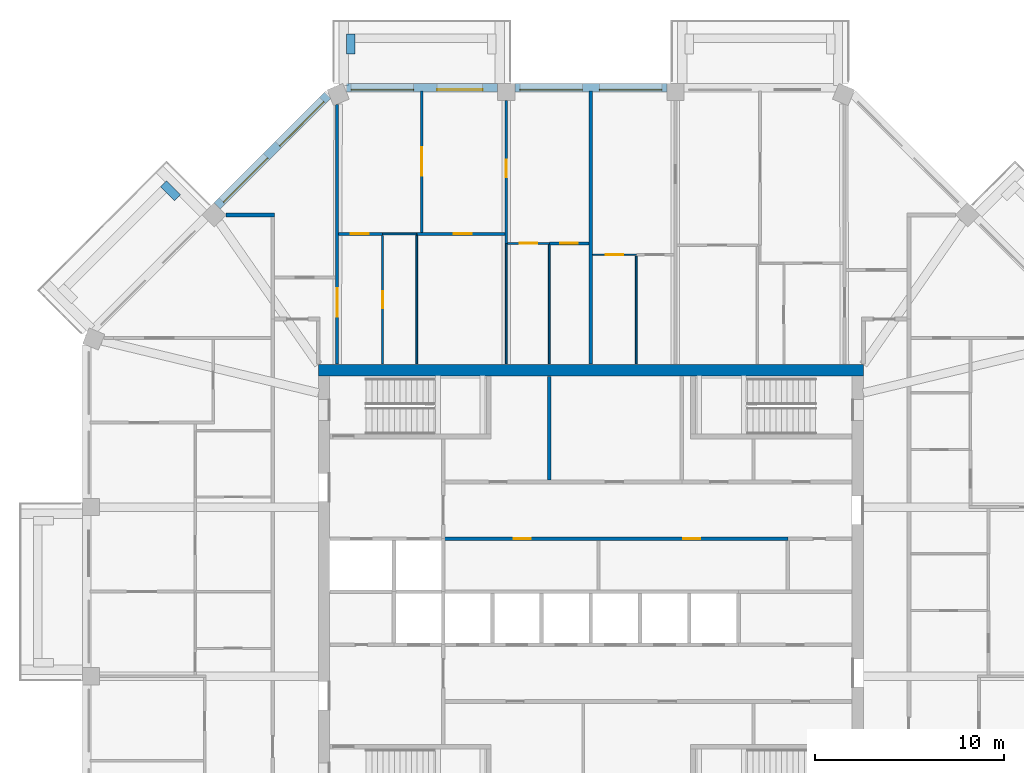
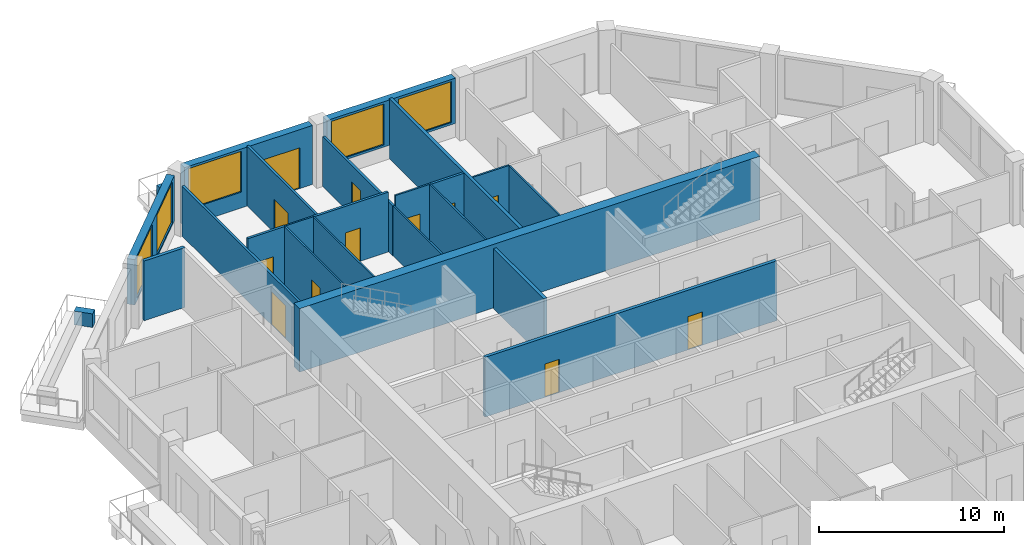
# One storey, part 8 of 13: 24 walls, 12 doors, 5 windows, 17 openings.
"""IFC4 building model written with IfcOpenShell, lengths in metres."""

from ifc_helpers import new_model, si_unit, direction, frame, frame_2d, origin, place, context, subcontext, project, spatial, rectangle, extrude, material, layer, layer_set, type_object, element, fill, save


model = new_model("IFC4")

# Units and contexts
model_context = context("Model", 3, precision=1e-05, world=origin(), true_north=direction((0.0, 1.0)))
body_context = subcontext(model_context, "Body", "Model", "MODEL_VIEW")
ifc_project = project(units=[si_unit("LENGTHUNIT", "METRE"), si_unit("AREAUNIT", "SQUARE_METRE"), si_unit("VOLUMEUNIT", "CUBIC_METRE"), si_unit("PLANEANGLEUNIT", "RADIAN"), si_unit("MASSUNIT", "GRAM", prefix="KILO")], contexts=[model_context])

# Site, building, storey
site_placement = place(None, origin())
site = spatial("IfcSite", under=ifc_project, at=site_placement, CompositionType="ELEMENT")
building_placement = place(site_placement, origin())
building = spatial("IfcBuilding", under=site, at=building_placement, Name="Msitu Wima Residences", CompositionType="ELEMENT")
storey_placement = place(building_placement, frame((0.0, 0.0, 289.5)))
storey = spatial("IfcBuildingStorey", under=building, at=storey_placement, Name="L67", CompositionType="ELEMENT", Elevation=289.5)

# Walls
ifc_material_1 = material(Name="Facing brick")
ifc_layer_1 = layer(ifc_material_1, 0.06494140625, Name="Facing brick")
ifc_material_2 = material(Name="Concrete C40/50", Category="concrete")
ifc_layer_2 = layer(ifc_material_2, 0.156005859375, Name="Concrete C40/50")
ifc_material_3 = material(Name="Waterproofing membrane")
ifc_layer_3 = layer(ifc_material_3, 0.00390625, Name="Waterproofing membrane")
ifc_material_4 = material(Name="Planting soil and planting")
ifc_layer_4 = layer(ifc_material_4, 0.22509765625, Name="Planting soil and planting")
ifc_layer_set_1 = layer_set([ifc_layer_1, ifc_layer_2, ifc_layer_3, ifc_layer_4], Name="Concrete C40/50")
wall_type_1 = type_object("IfcWallType", Name="Balcony planter PLANTER PL450", PredefinedType="USERDEFINED", material=ifc_layer_set_1)
for number, where, z_axis, x_axis, name in (
    (1, (-12.680908203125, 28.39990234375, 0.0), (0.0, 0.0, 1.0), (0.0, 1.0, 0.0), "Balcony planter N2 L67"),
    (2, (-21.829833984375, 20.804443359375, 0.0), (0.0, 0.0, 1.0), (-0.707106781187, 0.707106781187, 0.0), "Balcony planter NW1 L67"),
):
    element("IfcWall", number, at=place(storey_placement, frame(where, z_axis=z_axis, x_axis=x_axis)), inside=storey, type_object=wall_type_1, Name=name, ObjectType="PLANTER", PredefinedType="USERDEFINED", context=body_context, shape_type="SweptSolid", body=[
        extrude(rectangle(XDim=1.050048828125, YDim=0.449951171875, at=frame_2d((0.52490234375, 0.0))), origin(), (0.0, 0.0, 1.0), 0.89990234375),
    ])

# Wall, openings, windows
ifc_material_5 = material(Name="Brick (red buff mix)", Category="masonry")
ifc_layer_5 = layer(ifc_material_5, 0.449951171875)
ifc_layer_set_2 = layer_set([ifc_layer_5], Name="Brick (red buff mix)")
wall_type_2 = type_object("IfcWallType", Name="Brick infill wall BW450", PredefinedType="SOLIDWALL", material=ifc_layer_set_2)
wall_1_placement = place(storey_placement, frame((4.0185546875, 26.625, 0.89990234375), z_axis=(0.0, 0.0, 1.0), x_axis=(-1.0, 0.0, 0.0)))
wall_1 = element("IfcWall", 3, at=wall_1_placement, inside=storey, type_object=wall_type_2, Name="Brick infill wall L67 N1", PredefinedType="SOLIDWALL", context=body_context, shape_type="SweptSolid", body=[
    extrude(rectangle(XDim=8.037109375, YDim=0.449951171875, at=frame_2d((4.0185546875, 0.0))), origin(), (0.0, 0.0, 1.0), 3.0),
])
opening_1_placement = place(wall_1_placement, frame((0.2685546875, 0.0, 0.14990234375)))
opening_1 = element("IfcOpeningElement", 4, at=opening_1_placement, cuts=wall_1, Name="Opening W65-67.007", PredefinedType="OPENING", context=body_context, shape_type="SweptSolid", body=[
    extrude(rectangle(XDim=3.300048828125, YDim=2.699951171875, at=frame_2d((1.64990234375, 1.35009765625))), frame((0.0, 0.23486328125, 0.0), z_axis=(0.0, -1.0, 0.0), x_axis=(1.0, 0.0, 0.0)), (0.0, 0.0, 1.0), 0.469970703125),
])
opening_2_placement = place(wall_1_placement, frame((4.46875, 0.0, 0.14990234375)))
opening_2 = element("IfcOpeningElement", 5, at=opening_2_placement, cuts=wall_1, Name="Opening W65-67.008", PredefinedType="OPENING", context=body_context, shape_type="SweptSolid", body=[
    extrude(rectangle(XDim=3.300048828125, YDim=2.699951171875, at=frame_2d((1.64990234375, 1.35009765625))), frame((0.0, 0.23486328125, 0.0), z_axis=(0.0, -1.0, 0.0), x_axis=(1.0, 0.0, 0.0)), (0.0, 0.0, 1.0), 0.469970703125),
])
ifc_material_6 = material(Name="Anodised aluminium, bronze finish, clear low-emissivity double glazing", Category="aluminium")
window_type = type_object("IfcWindowType", Name="Window W3300x2700", PartitioningType="DOUBLE_PANEL_VERTICAL", PredefinedType="WINDOW", material=ifc_material_6)
window_1_placement = place(opening_1_placement, origin())
window_1 = element("IfcWindow", 6, at=window_1_placement, inside=storey, type_object=window_type, Name="Window L67 N1.1", OverallHeight=2.699951171875, OverallWidth=3.300048828125, PartitioningType="SINGLE_PANEL", PredefinedType="WINDOW", context=body_context, shape_type="SweptSolid", body=[
    extrude(rectangle(XDim=3.300048828125, YDim=2.699951171875, at=frame_2d((1.64990234375, 1.35009765625))), frame((0.0, 0.135009765625, 0.0), z_axis=(0.0, -1.0, 0.0), x_axis=(1.0, 0.0, 0.0)), (0.0, 0.0, 1.0), 0.06005859375),
])
fill(opening_1, window_1)
window_2_placement = place(opening_2_placement, origin())
window_2 = element("IfcWindow", 7, at=window_2_placement, inside=storey, type_object=window_type, Name="Window L67 N1.2", OverallHeight=2.699951171875, OverallWidth=3.300048828125, PartitioningType="SINGLE_PANEL", PredefinedType="WINDOW", context=body_context, shape_type="SweptSolid", body=[
    extrude(rectangle(XDim=3.300048828125, YDim=2.699951171875, at=frame_2d((1.64990234375, 1.35009765625))), frame((0.0, 0.135009765625, 0.0), z_axis=(0.0, -1.0, 0.0), x_axis=(1.0, 0.0, 0.0)), (0.0, 0.0, 1.0), 0.06005859375),
])
fill(opening_2, window_2)

# Wall, openings, door, window
wall_2_placement = place(storey_placement, frame((-4.918701171875, 26.625, 0.0), z_axis=(0.0, 0.0, 1.0), x_axis=(-1.0, 0.0, 0.0)))
wall_2 = element("IfcWall", 8, at=wall_2_placement, inside=storey, type_object=wall_type_2, Name="Brick infill wall L67 N2", PredefinedType="SOLIDWALL", context=body_context, shape_type="SweptSolid", body=[
    extrude(rectangle(XDim=8.0, YDim=0.449951171875, at=frame_2d((4.0, 0.0))), origin(), (0.0, 0.0, 1.0), 3.89990234375),
])
opening_3_placement = place(wall_2_placement, frame((0.800048828125, 0.0, 0.0)))
opening_3 = element("IfcOpeningElement", 9, at=opening_3_placement, cuts=wall_2, Name="Opening D65-67.003", PredefinedType="OPENING", context=body_context, shape_type="SweptSolid", body=[
    extrude(rectangle(XDim=2.39990234375, YDim=2.699951171875, at=frame_2d((1.199951171875, 1.35009765625))), frame((0.0, 0.23486328125, 0.0), z_axis=(0.0, -1.0, 0.0), x_axis=(1.0, 0.0, 0.0)), (0.0, 0.0, 1.0), 0.469970703125),
])
opening_4_placement = place(wall_2_placement, frame((4.4501953125, 0.0, 1.050048828125)))
opening_4 = element("IfcOpeningElement", 10, at=opening_4_placement, cuts=wall_2, Name="Opening W65-67.009", PredefinedType="OPENING", context=body_context, shape_type="SweptSolid", body=[
    extrude(rectangle(XDim=3.300048828125, YDim=2.699951171875, at=frame_2d((1.64990234375, 1.35009765625))), frame((0.0, 0.23486328125, 0.0), z_axis=(0.0, -1.0, 0.0), x_axis=(1.0, 0.0, 0.0)), (0.0, 0.0, 1.0), 0.469970703125),
])
door_type_1 = type_object("IfcDoorType", Name="Balcony door D2400x2700", OperationType="SLIDING_TO_LEFT", PredefinedType="DOOR", material=ifc_material_6)
door_1_placement = place(opening_3_placement, origin())
door_1 = element("IfcDoor", 11, at=door_1_placement, inside=storey, type_object=door_type_1, Name="Balcony door L67 N2", OperationType="SINGLE_SWING_LEFT", OverallHeight=2.699951171875, OverallWidth=2.39990234375, PredefinedType="DOOR", context=body_context, shape_type="SweptSolid", body=[
    extrude(rectangle(XDim=2.39990234375, YDim=2.699951171875, at=frame_2d((1.199951171875, 1.35009765625))), frame((0.0, 0.1298828125, 0.0), z_axis=(0.0, -1.0, 0.0), x_axis=(1.0, 0.0, 0.0)), (0.0, 0.0, 1.0), 0.050048828125),
])
fill(opening_3, door_1)
window_3_placement = place(opening_4_placement, origin())
window_3 = element("IfcWindow", 12, at=window_3_placement, inside=storey, type_object=window_type, Name="Window L67 N2.2", OverallHeight=2.699951171875, OverallWidth=3.300048828125, PartitioningType="SINGLE_PANEL", PredefinedType="WINDOW", context=body_context, shape_type="SweptSolid", body=[
    extrude(rectangle(XDim=3.300048828125, YDim=2.699951171875, at=frame_2d((1.64990234375, 1.35009765625))), frame((0.0, 0.135009765625, 0.0), z_axis=(0.0, -1.0, 0.0), x_axis=(1.0, 0.0, 0.0)), (0.0, 0.0, 1.0), 0.06005859375),
])
fill(opening_4, window_3)

# Wall, openings, windows
wall_3_placement = place(storey_placement, frame((-13.909423828125, 26.214599609375, 0.89990234375), z_axis=(0.0, 0.0, 1.0), x_axis=(-0.707106781187, -0.707106781187, 0.0)))
wall_3 = element("IfcWall", 13, at=wall_3_placement, inside=storey, type_object=wall_type_2, Name="Brick infill wall L67 NW0", PredefinedType="SOLIDWALL", context=body_context, shape_type="SweptSolid", body=[
    extrude(rectangle(XDim=8.251220703125, YDim=0.449951171875, at=frame_2d((4.12548828125, 0.0))), origin(), (0.0, 0.0, 1.0), 3.0),
])
opening_5_placement = place(wall_3_placement, frame((0.37548828125, 0.0, 0.14990234375)))
opening_5 = element("IfcOpeningElement", 14, at=opening_5_placement, cuts=wall_3, Name="Opening W65-67.013", PredefinedType="OPENING", context=body_context, shape_type="SweptSolid", body=[
    extrude(rectangle(XDim=3.300048828125, YDim=2.699951171875, at=frame_2d((1.64990234375, 1.35009765625))), frame((0.0, 0.23486328125, 0.0), z_axis=(0.0, -1.0, 0.0), x_axis=(1.0, 0.0, 0.0)), (0.0, 0.0, 1.0), 0.469970703125),
])
opening_6_placement = place(wall_3_placement, frame((4.57568359375, 0.0, 0.14990234375)))
opening_6 = element("IfcOpeningElement", 15, at=opening_6_placement, cuts=wall_3, Name="Opening W65-67.014", PredefinedType="OPENING", context=body_context, shape_type="SweptSolid", body=[
    extrude(rectangle(XDim=3.300048828125, YDim=2.699951171875, at=frame_2d((1.64990234375, 1.35009765625))), frame((0.0, 0.23486328125, 0.0), z_axis=(0.0, -1.0, 0.0), x_axis=(1.0, 0.0, 0.0)), (0.0, 0.0, 1.0), 0.469970703125),
])
window_4_placement = place(opening_5_placement, origin())
window_4 = element("IfcWindow", 16, at=window_4_placement, inside=storey, type_object=window_type, Name="Window L67 NW0.1", OverallHeight=2.699951171875, OverallWidth=3.300048828125, PartitioningType="SINGLE_PANEL", PredefinedType="WINDOW", context=body_context, shape_type="SweptSolid", body=[
    extrude(rectangle(XDim=3.300048828125, YDim=2.699951171875, at=frame_2d((1.64990234375, 1.35009765625))), frame((0.0, 0.135009765625, 0.0), z_axis=(0.0, -1.0, 0.0), x_axis=(1.0, 0.0, 0.0)), (0.0, 0.0, 1.0), 0.06005859375),
])
fill(opening_5, window_4)
window_5_placement = place(opening_6_placement, origin())
window_5 = element("IfcWindow", 17, at=window_5_placement, inside=storey, type_object=window_type, Name="Window L67 NW0.2", OverallHeight=2.699951171875, OverallWidth=3.300048828125, PartitioningType="SINGLE_PANEL", PredefinedType="WINDOW", context=body_context, shape_type="SweptSolid", body=[
    extrude(rectangle(XDim=3.300048828125, YDim=2.699951171875, at=frame_2d((1.64990234375, 1.35009765625))), frame((0.0, 0.135009765625, 0.0), z_axis=(0.0, -1.0, 0.0), x_axis=(1.0, 0.0, 0.0)), (0.0, 0.0, 1.0), 0.06005859375),
])
fill(opening_6, window_5)

# Wall
ifc_material_7 = material(Name="Concrete C50/60", Category="concrete")
ifc_layer_6 = layer(ifc_material_7, 0.60009765625)
ifc_layer_set_3 = layer_set([ifc_layer_6], Name="Concrete C50/60")
wall_type_3 = type_object("IfcWallType", Name="Core wall CW600 C50/60", PredefinedType="SHEAR", material=ifc_layer_set_3)
wall_4_placement = place(storey_placement, frame((-14.39990234375, 11.699951171875, 0.0), z_axis=(0.0, 0.0, 1.0), x_axis=(1.0, 0.0, 0.0)))
element("IfcWall", 18, at=wall_4_placement, inside=storey, type_object=wall_type_3, Name="Core wall", PredefinedType="SHEAR", context=body_context, shape_type="SweptSolid", body=[
    extrude(rectangle(XDim=28.7998046875, YDim=0.60009765625, at=frame_2d((14.39990234375, 0.0))), origin(), (0.0, 0.0, 1.0), 4.199951171875),
])

# Wall, openings, doors
ifc_material_8 = material(Name="Plaster")
ifc_layer_7 = layer(ifc_material_8, 0.011962890625, Name="Plaster")
ifc_material_9 = material(Name="Concrete blockwork", Category="masonry")
ifc_layer_8 = layer(ifc_material_9, 0.176025390625, Name="Concrete blockwork")
ifc_layer_9 = layer(ifc_material_8, 0.011962890625, Name="Plaster")
ifc_layer_set_4 = layer_set([ifc_layer_7, ifc_layer_8, ifc_layer_9], Name="Concrete blockwork")
wall_type_4 = type_object("IfcWallType", Name="Corridor wall FW200", PredefinedType="PARTITIONING", material=ifc_layer_set_4)
wall_5_placement = place(storey_placement, frame((-7.820068359375, 2.800048828125, 0.0), z_axis=(0.0, 0.0, 1.0), x_axis=(1.0, 0.0, 0.0)))
wall_5 = element("IfcWall", 19, at=wall_5_placement, inside=storey, type_object=wall_type_4, Name="Corridor wall", PredefinedType="PARTITIONING", context=body_context, shape_type="SweptSolid", body=[
    extrude(rectangle(XDim=18.239990234375, YDim=0.199951171875, at=frame_2d((9.1201171875, 0.0))), origin(), (0.0, 0.0, 1.0), 3.949951171875),
])
opening_7_placement = place(wall_5_placement, frame((3.75, 0.0, 0.0)))
opening_7 = element("IfcOpeningElement", 20, at=opening_7_placement, cuts=wall_5, Name="Opening D65-67.088", PredefinedType="OPENING", context=body_context, shape_type="SweptSolid", body=[
    extrude(rectangle(XDim=0.89990234375, YDim=2.199951171875, at=frame_2d((0.449951171875, 1.10009765625))), frame((0.0, 0.10986328125, 0.0), z_axis=(0.0, -1.0, 0.0), x_axis=(1.0, 0.0, 0.0)), (0.0, 0.0, 1.0), 0.219970703125),
])
opening_8_placement = place(wall_5_placement, frame((12.699951171875, 0.0, 0.0)))
opening_8 = element("IfcOpeningElement", 21, at=opening_8_placement, cuts=wall_5, Name="Opening D65-67.089", PredefinedType="OPENING", context=body_context, shape_type="SweptSolid", body=[
    extrude(rectangle(XDim=0.89990234375, YDim=2.199951171875, at=frame_2d((0.449951171875, 1.10009765625))), frame((0.0, 0.10986328125, 0.0), z_axis=(0.0, -1.0, 0.0), x_axis=(1.0, 0.0, 0.0)), (0.0, 0.0, 1.0), 0.219970703125),
])
ifc_material_10 = material(Name="Timber flush door", Category="wood")
door_type_2 = type_object("IfcDoorType", Name="Service door D05 900x2200", OperationType="SINGLE_SWING_LEFT", PredefinedType="DOOR", material=ifc_material_10)
door_2_placement = place(opening_7_placement, origin())
door_2 = element("IfcDoor", 22, at=door_2_placement, inside=storey, type_object=door_type_2, Name="Service door", OperationType="SINGLE_SWING_RIGHT", OverallHeight=2.199951171875, OverallWidth=0.89990234375, PredefinedType="DOOR", context=body_context, shape_type="SweptSolid", body=[
    extrude(rectangle(XDim=0.89990234375, YDim=2.199951171875, at=frame_2d((0.449951171875, 1.10009765625))), frame((0.0, 0.02490234375, 0.0), z_axis=(0.0, -1.0, 0.0), x_axis=(1.0, 0.0, 0.0)), (0.0, 0.0, 1.0), 0.050048828125),
])
fill(opening_7, door_2)
door_3_placement = place(opening_8_placement, origin())
door_3 = element("IfcDoor", 23, at=door_3_placement, inside=storey, type_object=door_type_2, Name="Service door", OperationType="SINGLE_SWING_LEFT", OverallHeight=2.199951171875, OverallWidth=0.89990234375, PredefinedType="DOOR", context=body_context, shape_type="SweptSolid", body=[
    extrude(rectangle(XDim=0.89990234375, YDim=2.199951171875, at=frame_2d((0.449951171875, 1.10009765625))), frame((0.0, 0.02490234375, 0.0), z_axis=(0.0, -1.0, 0.0), x_axis=(1.0, 0.0, 0.0)), (0.0, 0.0, 1.0), 0.050048828125),
])
fill(opening_8, door_3)

# Wall, opening, door
ifc_layer_10 = layer(ifc_material_8, 0.011962890625, Name="Plaster")
ifc_layer_11 = layer(ifc_material_9, 0.1259765625, Name="Concrete blockwork")
ifc_layer_12 = layer(ifc_material_8, 0.011962890625, Name="Plaster")
ifc_layer_set_5 = layer_set([ifc_layer_10, ifc_layer_11, ifc_layer_12], Name="Concrete blockwork")
wall_type_5 = type_object("IfcWallType", Name="Partition PW150", PredefinedType="PARTITIONING", material=ifc_layer_set_5)
wall_6_placement = place(storey_placement, frame((-13.406005859375, 12.030029296875, 0.0), z_axis=(0.0, 0.0, 1.0), x_axis=(0.0, 1.0, 0.0)))
wall_6 = element("IfcWall", 24, at=wall_6_placement, inside=storey, type_object=wall_type_5, Name="Partition", PredefinedType="PARTITIONING", context=body_context, shape_type="SweptSolid", body=[
    extrude(rectangle(XDim=13.701171875, YDim=0.14990234375, at=frame_2d((6.8505859375, 0.0))), origin(), (0.0, 0.0, 1.0), 3.300048828125),
])
opening_9_placement = place(wall_6_placement, frame((2.5, 0.0, 0.0)))
opening_9 = element("IfcOpeningElement", 25, at=opening_9_placement, cuts=wall_6, Name="Opening D65-67.033", PredefinedType="OPENING", context=body_context, shape_type="SweptSolid", body=[
    extrude(rectangle(XDim=1.5, YDim=2.199951171875, at=frame_2d((0.75, 1.10009765625))), frame((0.0, 0.0849609375, 0.0), z_axis=(0.0, -1.0, 0.0), x_axis=(1.0, 0.0, 0.0)), (0.0, 0.0, 1.0), 0.169921875),
])
ifc_material_11 = material(Name="Timber double door", Category="wood")
door_type_3 = type_object("IfcDoorType", Name="Double door D04 1500x2200", OperationType="DOUBLE_DOOR_SINGLE_SWING", PredefinedType="DOOR", material=ifc_material_11)
door_4_placement = place(opening_9_placement, origin())
door_4 = element("IfcDoor", 26, at=door_4_placement, inside=storey, type_object=door_type_3, Name="Double door", OperationType="DOUBLE_DOOR_SINGLE_SWING", OverallHeight=2.199951171875, OverallWidth=1.5, PredefinedType="DOOR", context=body_context, shape_type="SweptSolid", body=[
    extrude(rectangle(XDim=1.5, YDim=2.199951171875, at=frame_2d((0.75, 1.10009765625))), frame((0.0, 0.02490234375, 0.0), z_axis=(0.0, -1.0, 0.0), x_axis=(1.0, 0.0, 0.0)), (0.0, 0.0, 1.0), 0.050048828125),
])
fill(opening_9, door_4)

wall_7_placement = place(storey_placement, frame((-13.330810546875, 18.89990234375, 0.0), z_axis=(0.0, 0.0, 1.0), x_axis=(1.0, 0.0, 0.0)))
wall_7 = element("IfcWall", 27, at=wall_7_placement, inside=storey, type_object=wall_type_5, Name="Partition", PredefinedType="PARTITIONING", context=body_context, shape_type="SweptSolid", body=[
    extrude(rectangle(XDim=2.330810546875, YDim=0.14990234375, at=frame_2d((1.16552734375, 0.0))), origin(), (0.0, 0.0, 1.0), 3.949951171875),
])
opening_10_placement = place(wall_7_placement, frame((0.64990234375, 0.0, 0.0)))
opening_10 = element("IfcOpeningElement", 28, at=opening_10_placement, cuts=wall_7, Name="Opening D65-67.034", PredefinedType="OPENING", context=body_context, shape_type="SweptSolid", body=[
    extrude(rectangle(XDim=0.949951171875, YDim=2.199951171875, at=frame_2d((0.47509765625, 1.10009765625))), frame((0.0, 0.0849609375, 0.0), z_axis=(0.0, -1.0, 0.0), x_axis=(1.0, 0.0, 0.0)), (0.0, 0.0, 1.0), 0.169921875),
])
door_type_4 = type_object("IfcDoorType", Name="Room door D12 950x2200", OperationType="SINGLE_SWING_LEFT", PredefinedType="DOOR", material=ifc_material_10)
door_5_placement = place(opening_10_placement, origin())
door_5 = element("IfcDoor", 29, at=door_5_placement, inside=storey, type_object=door_type_4, Name="Room door", OperationType="SINGLE_SWING_LEFT", OverallHeight=2.199951171875, OverallWidth=0.949951171875, PredefinedType="DOOR", context=body_context, shape_type="SweptSolid", body=[
    extrude(rectangle(XDim=0.949951171875, YDim=2.199951171875, at=frame_2d((0.47509765625, 1.10009765625))), frame((0.0, 0.02490234375, 0.0), z_axis=(0.0, -1.0, 0.0), x_axis=(1.0, 0.0, 0.0)), (0.0, 0.0, 1.0), 0.050048828125),
])
fill(opening_10, door_5)

wall_8_placement = place(storey_placement, frame((-9.199951171875, 18.89990234375, 0.0), z_axis=(0.0, 0.0, 1.0), x_axis=(1.0, 0.0, 0.0)))
wall_8 = element("IfcWall", 30, at=wall_8_placement, inside=storey, type_object=wall_type_5, Name="Partition", PredefinedType="PARTITIONING", context=body_context, shape_type="SweptSolid", body=[
    extrude(rectangle(XDim=4.65625, YDim=0.14990234375, at=frame_2d((2.328125, 0.0))), origin(), (0.0, 0.0, 1.0), 3.949951171875),
])
opening_11_placement = place(wall_8_placement, frame((1.949951171875, 0.0, 0.0)))
opening_11 = element("IfcOpeningElement", 31, at=opening_11_placement, cuts=wall_8, Name="Opening D65-67.038", PredefinedType="OPENING", context=body_context, shape_type="SweptSolid", body=[
    extrude(rectangle(XDim=0.949951171875, YDim=2.199951171875, at=frame_2d((0.47509765625, 1.10009765625))), frame((0.0, 0.0849609375, 0.0), z_axis=(0.0, -1.0, 0.0), x_axis=(1.0, 0.0, 0.0)), (0.0, 0.0, 1.0), 0.169921875),
])
door_6_placement = place(opening_11_placement, origin())
door_6 = element("IfcDoor", 32, at=door_6_placement, inside=storey, type_object=door_type_4, Name="Room door", OperationType="SINGLE_SWING_LEFT", OverallHeight=2.199951171875, OverallWidth=0.949951171875, PredefinedType="DOOR", context=body_context, shape_type="SweptSolid", body=[
    extrude(rectangle(XDim=0.949951171875, YDim=2.199951171875, at=frame_2d((0.47509765625, 1.10009765625))), frame((0.0, 0.02490234375, 0.0), z_axis=(0.0, -1.0, 0.0), x_axis=(1.0, 0.0, 0.0)), (0.0, 0.0, 1.0), 0.050048828125),
])
fill(opening_11, door_6)

wall_9_placement = place(storey_placement, frame((-8.937255859375, 18.97509765625, 0.0), z_axis=(0.0, 0.0, 1.0), x_axis=(0.0, 1.0, 0.0)))
wall_9 = element("IfcWall", 33, at=wall_9_placement, inside=storey, type_object=wall_type_5, Name="Partition", PredefinedType="PARTITIONING", context=body_context, shape_type="SweptSolid", body=[
    extrude(rectangle(XDim=7.47998046875, YDim=0.14990234375, at=frame_2d((3.739990234375, 0.0))), origin(), (0.0, 0.0, 1.0), 3.949951171875),
])
opening_12_placement = place(wall_9_placement, frame((3.0, 0.0, 0.0)))
opening_12 = element("IfcOpeningElement", 34, at=opening_12_placement, cuts=wall_9, Name="Opening D65-67.037", PredefinedType="OPENING", context=body_context, shape_type="SweptSolid", body=[
    extrude(rectangle(XDim=1.5, YDim=2.199951171875, at=frame_2d((0.75, 1.10009765625))), frame((0.0, 0.0849609375, 0.0), z_axis=(0.0, -1.0, 0.0), x_axis=(1.0, 0.0, 0.0)), (0.0, 0.0, 1.0), 0.169921875),
])
door_7_placement = place(opening_12_placement, origin())
door_7 = element("IfcDoor", 35, at=door_7_placement, inside=storey, type_object=door_type_3, Name="Double door", OperationType="DOUBLE_DOOR_SINGLE_SWING", OverallHeight=2.199951171875, OverallWidth=1.5, PredefinedType="DOOR", context=body_context, shape_type="SweptSolid", body=[
    extrude(rectangle(XDim=1.5, YDim=2.199951171875, at=frame_2d((0.75, 1.10009765625))), frame((0.0, 0.02490234375, 0.0), z_axis=(0.0, -1.0, 0.0), x_axis=(1.0, 0.0, 0.0)), (0.0, 0.0, 1.0), 0.050048828125),
])
fill(opening_12, door_7)

wall_10_placement = place(storey_placement, frame((-4.46875, 18.3798828125, 0.0), z_axis=(0.0, 0.0, 1.0), x_axis=(0.0, 1.0, 0.0)))
wall_10 = element("IfcWall", 36, at=wall_10_placement, inside=storey, type_object=wall_type_5, Name="Partition", PredefinedType="PARTITIONING", context=body_context, shape_type="SweptSolid", body=[
    extrude(rectangle(XDim=7.570068359375, YDim=0.14990234375, at=frame_2d((3.78515625, 0.0))), origin(), (0.0, 0.0, 1.0), 3.300048828125),
])
opening_13_placement = place(wall_10_placement, frame((3.5, 0.0, 0.0)))
opening_13 = element("IfcOpeningElement", 37, at=opening_13_placement, cuts=wall_10, Name="Opening D65-67.039", PredefinedType="OPENING", context=body_context, shape_type="SweptSolid", body=[
    extrude(rectangle(XDim=0.949951171875, YDim=2.199951171875, at=frame_2d((0.47509765625, 1.10009765625))), frame((0.0, 0.0849609375, 0.0), z_axis=(0.0, -1.0, 0.0), x_axis=(1.0, 0.0, 0.0)), (0.0, 0.0, 1.0), 0.169921875),
])
door_8_placement = place(opening_13_placement, origin())
door_8 = element("IfcDoor", 38, at=door_8_placement, inside=storey, type_object=door_type_4, Name="Room door", OperationType="SINGLE_SWING_LEFT", OverallHeight=2.199951171875, OverallWidth=0.949951171875, PredefinedType="DOOR", context=body_context, shape_type="SweptSolid", body=[
    extrude(rectangle(XDim=0.949951171875, YDim=2.199951171875, at=frame_2d((0.47509765625, 1.10009765625))), frame((0.0, 0.02490234375, 0.0), z_axis=(0.0, -1.0, 0.0), x_axis=(1.0, 0.0, 0.0)), (0.0, 0.0, 1.0), 0.050048828125),
])
fill(opening_13, door_8)

wall_11_placement = place(storey_placement, frame((-2.179931640625, 18.39990234375, 0.0), z_axis=(0.0, 0.0, 1.0), x_axis=(1.0, 0.0, 0.0)))
wall_11 = element("IfcWall", 39, at=wall_11_placement, inside=storey, type_object=wall_type_5, Name="Partition", PredefinedType="PARTITIONING", context=body_context, shape_type="SweptSolid", body=[
    extrude(rectangle(XDim=2.079833984375, YDim=0.14990234375, at=frame_2d((1.0400390625, 0.0))), origin(), (0.0, 0.0, 1.0), 3.949951171875),
])
opening_14_placement = place(wall_11_placement, frame((0.550048828125, 0.0, 0.0)))
opening_14 = element("IfcOpeningElement", 40, at=opening_14_placement, cuts=wall_11, Name="Opening D65-67.040", PredefinedType="OPENING", context=body_context, shape_type="SweptSolid", body=[
    extrude(rectangle(XDim=0.949951171875, YDim=2.199951171875, at=frame_2d((0.47509765625, 1.10009765625))), frame((0.0, 0.0849609375, 0.0), z_axis=(0.0, -1.0, 0.0), x_axis=(1.0, 0.0, 0.0)), (0.0, 0.0, 1.0), 0.169921875),
])
door_9_placement = place(opening_14_placement, origin())
door_9 = element("IfcDoor", 41, at=door_9_placement, inside=storey, type_object=door_type_4, Name="Room door", OperationType="SINGLE_SWING_RIGHT", OverallHeight=2.199951171875, OverallWidth=0.949951171875, PredefinedType="DOOR", context=body_context, shape_type="SweptSolid", body=[
    extrude(rectangle(XDim=0.949951171875, YDim=2.199951171875, at=frame_2d((0.47509765625, 1.10009765625))), frame((0.0, 0.02490234375, 0.0), z_axis=(0.0, -1.0, 0.0), x_axis=(1.0, 0.0, 0.0)), (0.0, 0.0, 1.0), 0.050048828125),
])
fill(opening_14, door_9)

# Walls
ifc_layer_13 = layer(ifc_material_8, 0.011962890625, Name="Plaster")
ifc_material_12 = material(Name="Dense concrete blockwork", Category="masonry")
ifc_layer_14 = layer(ifc_material_12, 0.176025390625, Name="Dense concrete blockwork")
ifc_layer_15 = layer(ifc_material_8, 0.011962890625, Name="Plaster")
ifc_layer_set_6 = layer_set([ifc_layer_13, ifc_layer_14, ifc_layer_15], Name="Dense concrete blockwork")
wall_type_6 = type_object("IfcWallType", Name="Party wall PW200", PredefinedType="PARTITIONING", material=ifc_layer_set_6)
wall_12_placement = place(storey_placement, frame((-19.2666015625, 19.90283203125, 0.0), z_axis=(0.0, 0.0, 1.0), x_axis=(1.0, 0.0, 0.0)))
element("IfcWall", 42, at=wall_12_placement, inside=storey, type_object=wall_type_6, Name="Party wall", PredefinedType="PARTITIONING", context=body_context, shape_type="SweptSolid", body=[
    extrude(rectangle(XDim=2.566650390625, YDim=0.199951171875, at=frame_2d((1.283203125, 0.0))), origin(), (0.0, 0.0, 1.0), 3.949951171875),
])
wall_13_placement = place(storey_placement, frame((0.0, 12.030029296875, 0.0), z_axis=(0.0, 0.0, 1.0), x_axis=(0.0, 1.0, 0.0)))
element("IfcWall", 43, at=wall_13_placement, inside=storey, type_object=wall_type_6, Name="Party wall", PredefinedType="PARTITIONING", context=body_context, shape_type="SweptSolid", body=[
    extrude(rectangle(XDim=14.425048828125, YDim=0.199951171875, at=frame_2d((7.21240234375, 0.0))), origin(), (0.0, 0.0, 1.0), 3.949951171875),
])
ifc_layer_16 = layer(ifc_material_8, 0.011962890625, Name="Plaster")
ifc_material_13 = material(Name="Reinforced concrete blockwork", Category="masonry")
ifc_layer_17 = layer(ifc_material_13, 0.176025390625, Name="Reinforced concrete blockwork")
ifc_layer_18 = layer(ifc_material_8, 0.011962890625, Name="Plaster")
ifc_layer_set_7 = layer_set([ifc_layer_16, ifc_layer_17, ifc_layer_18], Name="Reinforced concrete blockwork")
wall_type_7 = type_object("IfcWallType", Name="Plant and riser wall PL200", PredefinedType="PARTITIONING", material=ifc_layer_set_7)
wall_14_placement = place(storey_placement, frame((-2.199951171875, 5.89990234375, 0.0), z_axis=(0.0, 0.0, 1.0), x_axis=(0.0, 1.0, 0.0)))
element("IfcWall", 44, at=wall_14_placement, inside=storey, type_object=wall_type_7, Name="Plant and riser wall", PredefinedType="PARTITIONING", context=body_context, shape_type="SweptSolid", body=[
    extrude(rectangle(XDim=5.47021484375, YDim=0.199951171875, at=frame_2d((2.735107421875, 0.0))), origin(), (0.0, 0.0, 1.0), 3.949951171875),
])

# Wall, opening, door
ifc_material_14 = material(Name="Ceramic tiles")
ifc_layer_19 = layer(ifc_material_14, 0.008056640625, Name="Ceramic tiles")
ifc_material_15 = material(Name="Moisture-resistant board")
ifc_layer_20 = layer(ifc_material_15, 0.012451171875, Name="Moisture-resistant board")
ifc_material_16 = material(Name="Light-gauge stud framing with mineral wool")
ifc_layer_21 = layer(ifc_material_16, 0.06689453125, Name="Light-gauge stud framing with mineral wool")
ifc_layer_22 = layer(ifc_material_15, 0.012451171875, Name="Moisture-resistant board")
ifc_layer_set_8 = layer_set([ifc_layer_19, ifc_layer_20, ifc_layer_21, ifc_layer_22], Name="Light-gauge stud framing with mineral wool")
wall_type_8 = type_object("IfcWallType", Name="Wet wall PW100", PredefinedType="PARTITIONING", material=ifc_layer_set_8)
wall_15_placement = place(storey_placement, frame((-11.0, 12.030029296875, 0.0), z_axis=(0.0, 0.0, 1.0), x_axis=(0.0, 1.0, 0.0)))
wall_15 = element("IfcWall", 45, at=wall_15_placement, inside=storey, type_object=wall_type_8, Name="Wet wall", PredefinedType="PARTITIONING", context=body_context, shape_type="SweptSolid", body=[
    extrude(rectangle(XDim=6.794921875, YDim=0.10009765625, at=frame_2d((3.3974609375, 0.0))), origin(), (0.0, 0.0, 1.0), 3.949951171875),
])
opening_15_placement = place(wall_15_placement, frame((2.949951171875, 0.0, 0.0)))
opening_15 = element("IfcOpeningElement", 46, at=opening_15_placement, cuts=wall_15, Name="Opening D65-67.036", PredefinedType="OPENING", context=body_context, shape_type="SweptSolid", body=[
    extrude(rectangle(XDim=0.89990234375, YDim=2.199951171875, at=frame_2d((0.449951171875, 1.10009765625))), frame((0.0, 0.06005859375, 0.0), z_axis=(0.0, -1.0, 0.0), x_axis=(1.0, 0.0, 0.0)), (0.0, 0.0, 1.0), 0.1201171875),
])
ifc_material_17 = material(Name="Timber flush door, moisture resistant", Category="wood")
door_type_5 = type_object("IfcDoorType", Name="Bathroom door D03 900x2200", OperationType="SINGLE_SWING_LEFT", PredefinedType="DOOR", material=ifc_material_17)
door_10_placement = place(opening_15_placement, origin())
door_10 = element("IfcDoor", 47, at=door_10_placement, inside=storey, type_object=door_type_5, Name="Bathroom door", OperationType="SINGLE_SWING_LEFT", OverallHeight=2.199951171875, OverallWidth=0.89990234375, PredefinedType="DOOR", context=body_context, shape_type="SweptSolid", body=[
    extrude(rectangle(XDim=0.89990234375, YDim=2.199951171875, at=frame_2d((0.449951171875, 1.10009765625))), frame((0.0, 0.02490234375, 0.0), z_axis=(0.0, -1.0, 0.0), x_axis=(1.0, 0.0, 0.0)), (0.0, 0.0, 1.0), 0.050048828125),
])
fill(opening_15, door_10)

# Walls
wall_16_placement = place(storey_placement, frame((-11.0, 18.89990234375, 0.0), z_axis=(0.0, 0.0, 1.0), x_axis=(1.0, 0.0, 0.0)))
element("IfcWall", 48, at=wall_16_placement, inside=storey, type_object=wall_type_8, Name="Wet wall", PredefinedType="PARTITIONING", context=body_context, shape_type="SweptSolid", body=[
    extrude(rectangle(XDim=1.800048828125, YDim=0.10009765625, at=frame_2d((0.89990234375, 0.0))), origin(), (0.0, 0.0, 1.0), 3.949951171875),
])
wall_17_placement = place(storey_placement, frame((-9.199951171875, 12.030029296875, 0.0), z_axis=(0.0, 0.0, 1.0), x_axis=(0.0, 1.0, 0.0)))
element("IfcWall", 49, at=wall_17_placement, inside=storey, type_object=wall_type_8, Name="Wet wall", PredefinedType="PARTITIONING", context=body_context, shape_type="SweptSolid", body=[
    extrude(rectangle(XDim=6.794921875, YDim=0.10009765625, at=frame_2d((3.3974609375, 0.0))), origin(), (0.0, 0.0, 1.0), 3.949951171875),
])
wall_18_placement = place(storey_placement, frame((-4.46875, 12.030029296875, 0.0), z_axis=(0.0, 0.0, 1.0), x_axis=(0.0, 1.0, 0.0)))
element("IfcWall", 50, at=wall_18_placement, inside=storey, type_object=wall_type_8, Name="Wet wall", PredefinedType="PARTITIONING", context=body_context, shape_type="SweptSolid", body=[
    extrude(rectangle(XDim=6.349853515625, YDim=0.10009765625, at=frame_2d((3.1748046875, 0.0))), origin(), (0.0, 0.0, 1.0), 3.300048828125),
])

# Wall, opening, door
wall_19_placement = place(storey_placement, frame((-4.3935546875, 18.39990234375, 0.0), z_axis=(0.0, 0.0, 1.0), x_axis=(1.0, 0.0, 0.0)))
wall_19 = element("IfcWall", 51, at=wall_19_placement, inside=storey, type_object=wall_type_8, Name="Wet wall", PredefinedType="PARTITIONING", context=body_context, shape_type="SweptSolid", body=[
    extrude(rectangle(XDim=2.213623046875, YDim=0.10009765625, at=frame_2d((1.10693359375, 0.0))), origin(), (0.0, 0.0, 1.0), 3.949951171875),
])
opening_16_placement = place(wall_19_placement, frame((0.64990234375, 0.0, 0.0)))
opening_16 = element("IfcOpeningElement", 52, at=opening_16_placement, cuts=wall_19, Name="Opening D65-67.041", PredefinedType="OPENING", context=body_context, shape_type="SweptSolid", body=[
    extrude(rectangle(XDim=0.89990234375, YDim=2.199951171875, at=frame_2d((0.449951171875, 1.10009765625))), frame((0.0, 0.06005859375, 0.0), z_axis=(0.0, -1.0, 0.0), x_axis=(1.0, 0.0, 0.0)), (0.0, 0.0, 1.0), 0.1201171875),
])
door_11_placement = place(opening_16_placement, origin())
door_11 = element("IfcDoor", 53, at=door_11_placement, inside=storey, type_object=door_type_5, Name="Bathroom door", OperationType="SINGLE_SWING_LEFT", OverallHeight=2.199951171875, OverallWidth=0.89990234375, PredefinedType="DOOR", context=body_context, shape_type="SweptSolid", body=[
    extrude(rectangle(XDim=0.89990234375, YDim=2.199951171875, at=frame_2d((0.449951171875, 1.10009765625))), frame((0.0, 0.02490234375, 0.0), z_axis=(0.0, -1.0, 0.0), x_axis=(1.0, 0.0, 0.0)), (0.0, 0.0, 1.0), 0.050048828125),
])
fill(opening_16, door_11)

# Wall
wall_20_placement = place(storey_placement, frame((-2.199951171875, 12.030029296875, 0.0), z_axis=(0.0, 0.0, 1.0), x_axis=(0.0, 1.0, 0.0)))
element("IfcWall", 54, at=wall_20_placement, inside=storey, type_object=wall_type_8, Name="Wet wall", PredefinedType="PARTITIONING", context=body_context, shape_type="SweptSolid", body=[
    extrude(rectangle(XDim=6.320068359375, YDim=0.10009765625, at=frame_2d((3.16015625, 0.0))), origin(), (0.0, 0.0, 1.0), 3.949951171875),
])

# Wall, opening, door
wall_21_placement = place(storey_placement, frame((0.10009765625, 17.800048828125, 0.0), z_axis=(0.0, 0.0, 1.0), x_axis=(1.0, 0.0, 0.0)))
wall_21 = element("IfcWall", 55, at=wall_21_placement, inside=storey, type_object=wall_type_8, Name="Wet wall", PredefinedType="PARTITIONING", context=body_context, shape_type="SweptSolid", body=[
    extrude(rectangle(XDim=2.2998046875, YDim=0.10009765625, at=frame_2d((1.14990234375, 0.0))), origin(), (0.0, 0.0, 1.0), 3.949951171875),
])
opening_17_placement = place(wall_21_placement, frame((0.699951171875, 0.0, 0.0)))
opening_17 = element("IfcOpeningElement", 56, at=opening_17_placement, cuts=wall_21, Name="Opening D65-67.030", PredefinedType="OPENING", context=body_context, shape_type="SweptSolid", body=[
    extrude(rectangle(XDim=0.89990234375, YDim=2.199951171875, at=frame_2d((0.449951171875, 1.10009765625))), frame((0.0, 0.06005859375, 0.0), z_axis=(0.0, -1.0, 0.0), x_axis=(1.0, 0.0, 0.0)), (0.0, 0.0, 1.0), 0.1201171875),
])
door_12_placement = place(opening_17_placement, origin())
door_12 = element("IfcDoor", 57, at=door_12_placement, inside=storey, type_object=door_type_5, Name="Bathroom door", OperationType="SINGLE_SWING_LEFT", OverallHeight=2.199951171875, OverallWidth=0.89990234375, PredefinedType="DOOR", context=body_context, shape_type="SweptSolid", body=[
    extrude(rectangle(XDim=0.89990234375, YDim=2.199951171875, at=frame_2d((0.449951171875, 1.10009765625))), frame((0.0, 0.02490234375, 0.0), z_axis=(0.0, -1.0, 0.0), x_axis=(1.0, 0.0, 0.0)), (0.0, 0.0, 1.0), 0.050048828125),
])
fill(opening_17, door_12)

# Wall
wall_22_placement = place(storey_placement, frame((2.39990234375, 12.030029296875, 0.0), z_axis=(0.0, 0.0, 1.0), x_axis=(0.0, 1.0, 0.0)))
element("IfcWall", 58, at=wall_22_placement, inside=storey, type_object=wall_type_8, Name="Wet wall", PredefinedType="PARTITIONING", context=body_context, shape_type="SweptSolid", body=[
    extrude(rectangle(XDim=5.695068359375, YDim=0.10009765625, at=frame_2d((2.84765625, 0.0))), origin(), (0.0, 0.0, 1.0), 3.949951171875),
])

save(model, "model.ifc")
